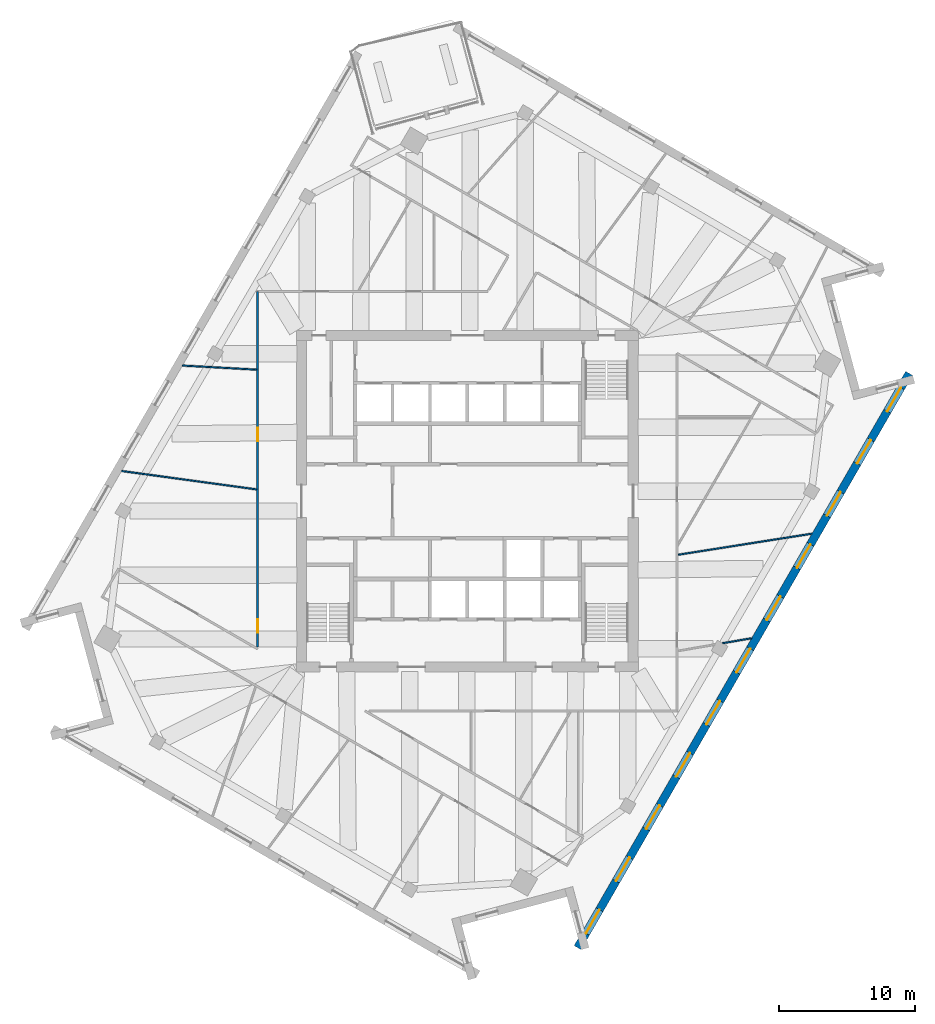
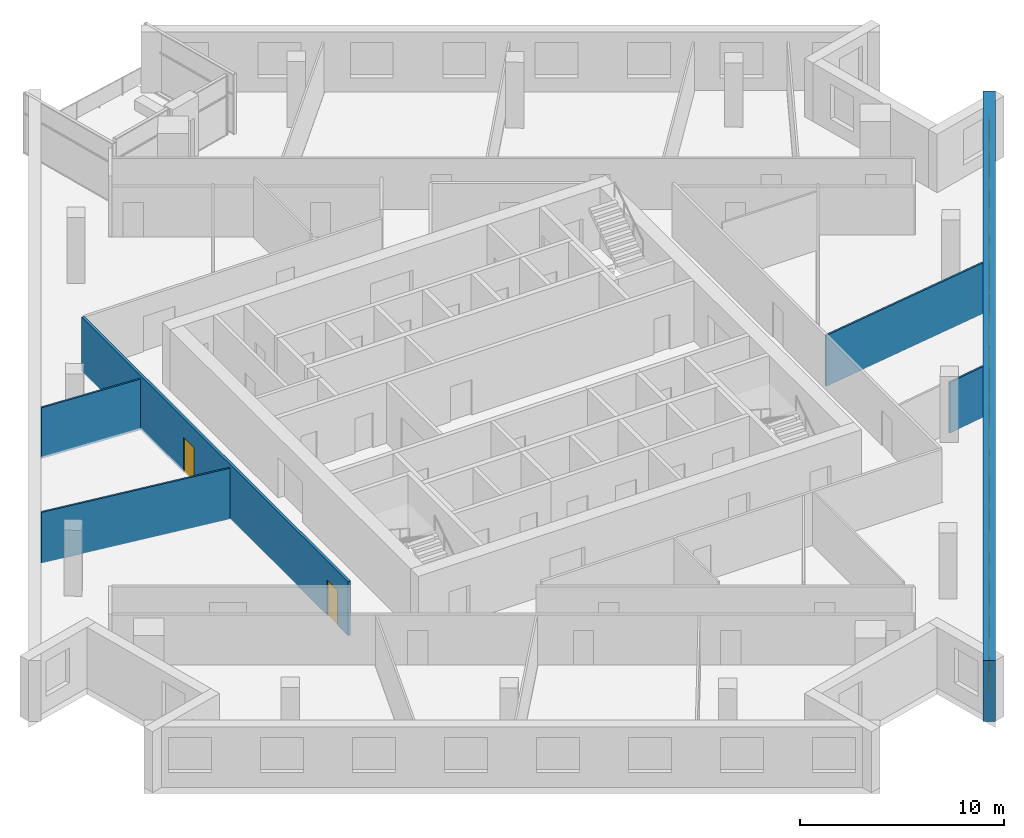
# One storey, part 8 of 13: 11 windows, 6 walls, 2 doors, 13 openings.
"""IFC4 building model written with IfcOpenShell, lengths in metres."""

from ifc_helpers import new_model, si_unit, direction, frame, frame_2d, origin, place, context, subcontext, project, spatial, rectangle, extrude, material, layer, layer_set, type_object, element, fill, save


model = new_model("IFC4")

# Units and contexts
model_context = context("Model", 3, precision=1e-05, world=origin(), true_north=direction((0.0, 1.0)))
body_context = subcontext(model_context, "Body", "Model", "MODEL_VIEW")
ifc_project = project(units=[si_unit("LENGTHUNIT", "METRE"), si_unit("AREAUNIT", "SQUARE_METRE"), si_unit("VOLUMEUNIT", "CUBIC_METRE"), si_unit("PLANEANGLEUNIT", "RADIAN"), si_unit("MASSUNIT", "GRAM", prefix="KILO")], contexts=[model_context])

# Site, building, storey
site_placement = place(None, origin())
site = spatial("IfcSite", under=ifc_project, at=site_placement, CompositionType="ELEMENT")
building_placement = place(site_placement, origin())
building = spatial("IfcBuilding", under=site, at=building_placement, Name="Dilmun Exchange Tower", CompositionType="ELEMENT")
storey_placement = place(building_placement, frame((0.0, 0.0, 266.89990234375)))
storey = spatial("IfcBuildingStorey", under=building, at=storey_placement, Name="L63", CompositionType="ELEMENT", Elevation=266.89990234375)

# Wall, openings, doors
ifc_material_1 = material(Name="Corridor wall 150")
ifc_layer_1 = layer(ifc_material_1, 0.14990234375)
ifc_layer_set_1 = layer_set([ifc_layer_1], Name="Corridor wall 150")
wall_type_1 = type_object("IfcWallType", Name="Corridor wall 150", PredefinedType="PARTITIONING", material=ifc_layer_set_1)
wall_1_placement = place(storey_placement, frame((-15.39990234375, -10.72021484375, 0.0), z_axis=(0.0, 0.0, 1.0), x_axis=(0.0, 1.0, 0.0)))
wall_1 = element("IfcWall", 1, at=wall_1_placement, inside=storey, type_object=wall_type_1, Name="Corridor wall", PredefinedType="PARTITIONING", context=body_context, shape_type="SweptSolid", body=[
    extrude(rectangle(XDim=26.1201171875, YDim=0.14990234375, at=frame_2d((13.06005859375, 0.0))), origin(), (0.0, 0.0, 1.0), 3.239990234375),
])
opening_1_placement = place(wall_1_placement, frame((1.050048828125, 0.0, 0.0)))
opening_1 = element("IfcOpeningElement", 2, at=opening_1_placement, cuts=wall_1, Name="Opening TF62-D02", PredefinedType="OPENING", context=body_context, shape_type="SweptSolid", body=[
    extrude(rectangle(XDim=1.0, YDim=2.10009765625, at=frame_2d((0.5, 1.050048828125))), frame((0.0, 0.0849609375, 0.0), z_axis=(0.0, -1.0, 0.0), x_axis=(1.0, 0.0, 0.0)), (0.0, 0.0, 1.0), 0.169921875),
])
opening_2_placement = place(wall_1_placement, frame((15.12353515625, 0.0, 0.0)))
opening_2 = element("IfcOpeningElement", 3, at=opening_2_placement, cuts=wall_1, Name="Opening TF62-D03", PredefinedType="OPENING", context=body_context, shape_type="SweptSolid", body=[
    extrude(rectangle(XDim=1.0, YDim=2.10009765625, at=frame_2d((0.5, 1.050048828125))), frame((0.0, 0.0849609375, 0.0), z_axis=(0.0, -1.0, 0.0), x_axis=(1.0, 0.0, 0.0)), (0.0, 0.0, 1.0), 0.169921875),
])
ifc_material_2 = material(Name="Fire door 1000 x 2100")
door_type = type_object("IfcDoorType", Name="Fire door 1000 x 2100", OperationType="NOTDEFINED", PredefinedType="DOOR", material=ifc_material_2)
door_1_placement = place(opening_1_placement, origin())
door_1 = element("IfcDoor", 4, at=door_1_placement, inside=storey, type_object=door_type, Name="Door TF62-D02", OperationType="SINGLE_SWING_LEFT", OverallHeight=2.10009765625, OverallWidth=1.0, PredefinedType="DOOR", context=body_context, shape_type="SweptSolid", body=[
    extrude(rectangle(XDim=1.0, YDim=2.10009765625, at=frame_2d((0.5, 1.050048828125))), frame((0.0, 0.02490234375, 0.0), z_axis=(0.0, -1.0, 0.0), x_axis=(1.0, 0.0, 0.0)), (0.0, 0.0, 1.0), 0.050048828125),
])
fill(opening_1, door_1)
door_2_placement = place(opening_2_placement, origin())
door_2 = element("IfcDoor", 5, at=door_2_placement, inside=storey, type_object=door_type, Name="Door TF62-D03", OperationType="SINGLE_SWING_RIGHT", OverallHeight=2.10009765625, OverallWidth=1.0, PredefinedType="DOOR", context=body_context, shape_type="SweptSolid", body=[
    extrude(rectangle(XDim=1.0, YDim=2.10009765625, at=frame_2d((0.5, 1.050048828125))), frame((0.0, 0.02490234375, 0.0), z_axis=(0.0, -1.0, 0.0), x_axis=(1.0, 0.0, 0.0)), (0.0, 0.0, 1.0), 0.050048828125),
])
fill(opening_2, door_2)

# Walls
ifc_material_3 = material(Name="Partition 100")
ifc_layer_2 = layer(ifc_material_3, 0.10009765625)
ifc_layer_set_2 = layer_set([ifc_layer_2], Name="Partition 100")
wall_type_2 = type_object("IfcWallType", Name="Partition 100", PredefinedType="PARTITIONING", material=ifc_layer_set_2)
wall_2_placement = place(storey_placement, frame((-25.39111328125, 2.217041015625, 0.0), z_axis=(0.0, 0.0, 1.0), x_axis=(0.990810103631, -0.135260262244, 0.0)))
element("IfcWall", 6, at=wall_2_placement, inside=storey, type_object=wall_type_2, Name="Partition", PredefinedType="PARTITIONING", context=body_context, shape_type="SweptSolid", body=[
    extrude(rectangle(XDim=10.001220703125, YDim=0.10009765625, at=frame_2d((5.00048828125, 0.0))), origin(), (0.0, 0.0, 1.0), 3.0400390625),
])
wall_3_placement = place(storey_placement, frame((-20.921630859375, 9.958740234375, 0.0), z_axis=(0.0, 0.0, 1.0), x_axis=(0.998469707991, -0.055301376328, 0.0)))
element("IfcWall", 7, at=wall_3_placement, inside=storey, type_object=wall_type_2, Name="Partition", PredefinedType="PARTITIONING", context=body_context, shape_type="SweptSolid", body=[
    extrude(rectangle(XDim=5.4521484375, YDim=0.10009765625, at=frame_2d((2.72607421875, 0.0))), origin(), (0.0, 0.0, 1.0), 3.0400390625),
])
wall_4_placement = place(storey_placement, frame((15.48291015625, -3.931884765625, 0.0), z_axis=(0.0, 0.0, 1.0), x_axis=(0.987819108506, 0.155606583636, 0.0)))
element("IfcWall", 8, at=wall_4_placement, inside=storey, type_object=wall_type_2, Name="Partition", PredefinedType="PARTITIONING", context=body_context, shape_type="SweptSolid", body=[
    extrude(rectangle(XDim=9.931640625, YDim=0.10009765625, at=frame_2d((4.9658203125, 0.0))), origin(), (0.0, 0.0, 1.0), 3.0400390625),
])
wall_5_placement = place(storey_placement, frame((18.7353515625, -10.430908203125, 0.0), z_axis=(0.0, 0.0, 1.0), x_axis=(0.985438538962, 0.170032014419, 0.0)))
element("IfcWall", 9, at=wall_5_placement, inside=storey, type_object=wall_type_2, Name="Partition", PredefinedType="PARTITIONING", context=body_context, shape_type="SweptSolid", body=[
    extrude(rectangle(XDim=2.15673828125, YDim=0.10009765625, at=frame_2d((1.078369140625, 0.0))), origin(), (0.0, 0.0, 1.0), 3.0400390625),
])

# Wall, openings, windows
ifc_material_4 = material(Name="Precast concrete C50/60", Category="concrete")
ifc_layer_3 = layer(ifc_material_4, 0.60009765625)
ifc_layer_set_3 = layer_set([ifc_layer_3], Name="Precast concrete C50/60")
wall_type_3 = type_object("IfcWallType", Name="Precast stone-clad wall 600", PredefinedType="STANDARD", material=ifc_layer_set_3)
wall_6_placement = place(storey_placement, frame((8.093505859375, -32.78173828125, 0.0), z_axis=(0.0, 0.0, 1.0), x_axis=(0.499997945818, 0.866026589763, 0.0)))
wall_6 = element("IfcWall", 10, at=wall_6_placement, inside=storey, type_object=wall_type_3, Name="Facade wall L63-11", PredefinedType="STANDARD", context=body_context, shape_type="SweptSolid", body=[
    extrude(rectangle(XDim=48.686279296875, YDim=0.60009765625, at=frame_2d((24.34326171875, 0.0))), origin(), (0.0, 0.0, 1.0), 3.64013671875),
])
opening_3_placement = place(wall_6_placement, frame((1.212890625, 0.0, 0.89990234375)))
opening_3 = element("IfcOpeningElement", 11, at=opening_3_placement, cuts=wall_6, Name="Opening W200-210", PredefinedType="OPENING", context=body_context, shape_type="SweptSolid", body=[
    extrude(rectangle(XDim=2.0, YDim=2.10009765625, at=frame_2d((1.0, 1.050048828125))), frame((0.0, 0.31005859375, 0.0), z_axis=(0.0, -1.0, 0.0), x_axis=(1.0, 0.0, 0.0)), (0.0, 0.0, 1.0), 0.6201171875),
])
opening_4_placement = place(wall_6_placement, frame((5.638916015625, 0.0, 0.89990234375)))
opening_4 = element("IfcOpeningElement", 12, at=opening_4_placement, cuts=wall_6, Name="Opening W200-210", PredefinedType="OPENING", context=body_context, shape_type="SweptSolid", body=[
    extrude(rectangle(XDim=2.0, YDim=2.10009765625, at=frame_2d((1.0, 1.050048828125))), frame((0.0, 0.31005859375, 0.0), z_axis=(0.0, -1.0, 0.0), x_axis=(1.0, 0.0, 0.0)), (0.0, 0.0, 1.0), 0.6201171875),
])
opening_5_placement = place(wall_6_placement, frame((10.065185546875, 0.0, 0.89990234375)))
opening_5 = element("IfcOpeningElement", 13, at=opening_5_placement, cuts=wall_6, Name="Opening W200-210", PredefinedType="OPENING", context=body_context, shape_type="SweptSolid", body=[
    extrude(rectangle(XDim=2.0, YDim=2.10009765625, at=frame_2d((1.0, 1.050048828125))), frame((0.0, 0.31005859375, 0.0), z_axis=(0.0, -1.0, 0.0), x_axis=(1.0, 0.0, 0.0)), (0.0, 0.0, 1.0), 0.6201171875),
])
opening_6_placement = place(wall_6_placement, frame((14.4912109375, 0.0, 0.89990234375)))
opening_6 = element("IfcOpeningElement", 14, at=opening_6_placement, cuts=wall_6, Name="Opening W200-210", PredefinedType="OPENING", context=body_context, shape_type="SweptSolid", body=[
    extrude(rectangle(XDim=2.0, YDim=2.10009765625, at=frame_2d((1.0, 1.050048828125))), frame((0.0, 0.31005859375, 0.0), z_axis=(0.0, -1.0, 0.0), x_axis=(1.0, 0.0, 0.0)), (0.0, 0.0, 1.0), 0.6201171875),
])
opening_7_placement = place(wall_6_placement, frame((18.9169921875, 0.0, 0.89990234375)))
opening_7 = element("IfcOpeningElement", 15, at=opening_7_placement, cuts=wall_6, Name="Opening W200-210", PredefinedType="OPENING", context=body_context, shape_type="SweptSolid", body=[
    extrude(rectangle(XDim=2.0, YDim=2.10009765625, at=frame_2d((1.0, 1.050048828125))), frame((0.0, 0.31005859375, 0.0), z_axis=(0.0, -1.0, 0.0), x_axis=(1.0, 0.0, 0.0)), (0.0, 0.0, 1.0), 0.6201171875),
])
opening_8_placement = place(wall_6_placement, frame((23.343017578125, 0.0, 0.89990234375)))
opening_8 = element("IfcOpeningElement", 16, at=opening_8_placement, cuts=wall_6, Name="Opening W200-210", PredefinedType="OPENING", context=body_context, shape_type="SweptSolid", body=[
    extrude(rectangle(XDim=2.0, YDim=2.10009765625, at=frame_2d((1.0, 1.050048828125))), frame((0.0, 0.31005859375, 0.0), z_axis=(0.0, -1.0, 0.0), x_axis=(1.0, 0.0, 0.0)), (0.0, 0.0, 1.0), 0.6201171875),
])
opening_9_placement = place(wall_6_placement, frame((27.769287109375, 0.0, 0.89990234375)))
opening_9 = element("IfcOpeningElement", 17, at=opening_9_placement, cuts=wall_6, Name="Opening W200-210", PredefinedType="OPENING", context=body_context, shape_type="SweptSolid", body=[
    extrude(rectangle(XDim=2.0, YDim=2.10009765625, at=frame_2d((1.0, 1.050048828125))), frame((0.0, 0.31005859375, 0.0), z_axis=(0.0, -1.0, 0.0), x_axis=(1.0, 0.0, 0.0)), (0.0, 0.0, 1.0), 0.6201171875),
])
opening_10_placement = place(wall_6_placement, frame((32.1953125, 0.0, 0.89990234375)))
opening_10 = element("IfcOpeningElement", 18, at=opening_10_placement, cuts=wall_6, Name="Opening W200-210", PredefinedType="OPENING", context=body_context, shape_type="SweptSolid", body=[
    extrude(rectangle(XDim=2.0, YDim=2.10009765625, at=frame_2d((1.0, 1.050048828125))), frame((0.0, 0.31005859375, 0.0), z_axis=(0.0, -1.0, 0.0), x_axis=(1.0, 0.0, 0.0)), (0.0, 0.0, 1.0), 0.6201171875),
])
opening_11_placement = place(wall_6_placement, frame((36.62109375, 0.0, 0.89990234375)))
opening_11 = element("IfcOpeningElement", 19, at=opening_11_placement, cuts=wall_6, Name="Opening W200-210", PredefinedType="OPENING", context=body_context, shape_type="SweptSolid", body=[
    extrude(rectangle(XDim=2.0, YDim=2.10009765625, at=frame_2d((1.0, 1.050048828125))), frame((0.0, 0.31005859375, 0.0), z_axis=(0.0, -1.0, 0.0), x_axis=(1.0, 0.0, 0.0)), (0.0, 0.0, 1.0), 0.6201171875),
])
opening_12_placement = place(wall_6_placement, frame((41.04736328125, 0.0, 0.89990234375)))
opening_12 = element("IfcOpeningElement", 20, at=opening_12_placement, cuts=wall_6, Name="Opening W200-210", PredefinedType="OPENING", context=body_context, shape_type="SweptSolid", body=[
    extrude(rectangle(XDim=2.0, YDim=2.10009765625, at=frame_2d((1.0, 1.050048828125))), frame((0.0, 0.31005859375, 0.0), z_axis=(0.0, -1.0, 0.0), x_axis=(1.0, 0.0, 0.0)), (0.0, 0.0, 1.0), 0.6201171875),
])
opening_13_placement = place(wall_6_placement, frame((45.473388671875, 0.0, 0.89990234375)))
opening_13 = element("IfcOpeningElement", 21, at=opening_13_placement, cuts=wall_6, Name="Opening W200-210", PredefinedType="OPENING", context=body_context, shape_type="SweptSolid", body=[
    extrude(rectangle(XDim=2.0, YDim=2.10009765625, at=frame_2d((1.0, 1.050048828125))), frame((0.0, 0.31005859375, 0.0), z_axis=(0.0, -1.0, 0.0), x_axis=(1.0, 0.0, 0.0)), (0.0, 0.0, 1.0), 0.6201171875),
])
ifc_material_5 = material(Name="Clear low-emissivity glass in aluminium frame", Category="aluminium")
window_type = type_object("IfcWindowType", Name="Punched window 2000 x 2100", PartitioningType="DOUBLE_PANEL_VERTICAL", PredefinedType="WINDOW", material=ifc_material_5)
window_1_placement = place(opening_3_placement, origin())
window_1 = element("IfcWindow", 22, at=window_1_placement, inside=storey, type_object=window_type, Name="Window 12.1", OverallHeight=2.10009765625, OverallWidth=2.0, PartitioningType="SINGLE_PANEL", PredefinedType="WINDOW", context=body_context, shape_type="SweptSolid", body=[
    extrude(rectangle(XDim=2.0, YDim=2.10009765625, at=frame_2d((1.0, 1.050048828125))), frame((0.0, 0.030029296875, 0.0), z_axis=(0.0, -1.0, 0.0), x_axis=(1.0, 0.0, 0.0)), (0.0, 0.0, 1.0), 0.06005859375),
])
fill(opening_3, window_1)
window_2_placement = place(opening_4_placement, origin())
window_2 = element("IfcWindow", 23, at=window_2_placement, inside=storey, type_object=window_type, Name="Window 12.2", OverallHeight=2.10009765625, OverallWidth=2.0, PartitioningType="SINGLE_PANEL", PredefinedType="WINDOW", context=body_context, shape_type="SweptSolid", body=[
    extrude(rectangle(XDim=2.0, YDim=2.10009765625, at=frame_2d((1.0, 1.050048828125))), frame((0.0, 0.030029296875, 0.0), z_axis=(0.0, -1.0, 0.0), x_axis=(1.0, 0.0, 0.0)), (0.0, 0.0, 1.0), 0.06005859375),
])
fill(opening_4, window_2)
window_3_placement = place(opening_5_placement, origin())
window_3 = element("IfcWindow", 24, at=window_3_placement, inside=storey, type_object=window_type, Name="Window 12.3", OverallHeight=2.10009765625, OverallWidth=2.0, PartitioningType="SINGLE_PANEL", PredefinedType="WINDOW", context=body_context, shape_type="SweptSolid", body=[
    extrude(rectangle(XDim=2.0, YDim=2.10009765625, at=frame_2d((1.0, 1.050048828125))), frame((0.0, 0.030029296875, 0.0), z_axis=(0.0, -1.0, 0.0), x_axis=(1.0, 0.0, 0.0)), (0.0, 0.0, 1.0), 0.06005859375),
])
fill(opening_5, window_3)
window_4_placement = place(opening_6_placement, origin())
window_4 = element("IfcWindow", 25, at=window_4_placement, inside=storey, type_object=window_type, Name="Window 12.4", OverallHeight=2.10009765625, OverallWidth=2.0, PartitioningType="SINGLE_PANEL", PredefinedType="WINDOW", context=body_context, shape_type="SweptSolid", body=[
    extrude(rectangle(XDim=2.0, YDim=2.10009765625, at=frame_2d((1.0, 1.050048828125))), frame((0.0, 0.030029296875, 0.0), z_axis=(0.0, -1.0, 0.0), x_axis=(1.0, 0.0, 0.0)), (0.0, 0.0, 1.0), 0.06005859375),
])
fill(opening_6, window_4)
window_5_placement = place(opening_7_placement, origin())
window_5 = element("IfcWindow", 26, at=window_5_placement, inside=storey, type_object=window_type, Name="Window 12.5", OverallHeight=2.10009765625, OverallWidth=2.0, PartitioningType="SINGLE_PANEL", PredefinedType="WINDOW", context=body_context, shape_type="SweptSolid", body=[
    extrude(rectangle(XDim=2.0, YDim=2.10009765625, at=frame_2d((1.0, 1.050048828125))), frame((0.0, 0.030029296875, 0.0), z_axis=(0.0, -1.0, 0.0), x_axis=(1.0, 0.0, 0.0)), (0.0, 0.0, 1.0), 0.06005859375),
])
fill(opening_7, window_5)
window_6_placement = place(opening_8_placement, origin())
window_6 = element("IfcWindow", 27, at=window_6_placement, inside=storey, type_object=window_type, Name="Window 12.6", OverallHeight=2.10009765625, OverallWidth=2.0, PartitioningType="SINGLE_PANEL", PredefinedType="WINDOW", context=body_context, shape_type="SweptSolid", body=[
    extrude(rectangle(XDim=2.0, YDim=2.10009765625, at=frame_2d((1.0, 1.050048828125))), frame((0.0, 0.030029296875, 0.0), z_axis=(0.0, -1.0, 0.0), x_axis=(1.0, 0.0, 0.0)), (0.0, 0.0, 1.0), 0.06005859375),
])
fill(opening_8, window_6)
window_7_placement = place(opening_9_placement, origin())
window_7 = element("IfcWindow", 28, at=window_7_placement, inside=storey, type_object=window_type, Name="Window 12.7", OverallHeight=2.10009765625, OverallWidth=2.0, PartitioningType="SINGLE_PANEL", PredefinedType="WINDOW", context=body_context, shape_type="SweptSolid", body=[
    extrude(rectangle(XDim=2.0, YDim=2.10009765625, at=frame_2d((1.0, 1.050048828125))), frame((0.0, 0.030029296875, 0.0), z_axis=(0.0, -1.0, 0.0), x_axis=(1.0, 0.0, 0.0)), (0.0, 0.0, 1.0), 0.06005859375),
])
fill(opening_9, window_7)
window_8_placement = place(opening_10_placement, origin())
window_8 = element("IfcWindow", 29, at=window_8_placement, inside=storey, type_object=window_type, Name="Window 12.8", OverallHeight=2.10009765625, OverallWidth=2.0, PartitioningType="SINGLE_PANEL", PredefinedType="WINDOW", context=body_context, shape_type="SweptSolid", body=[
    extrude(rectangle(XDim=2.0, YDim=2.10009765625, at=frame_2d((1.0, 1.050048828125))), frame((0.0, 0.030029296875, 0.0), z_axis=(0.0, -1.0, 0.0), x_axis=(1.0, 0.0, 0.0)), (0.0, 0.0, 1.0), 0.06005859375),
])
fill(opening_10, window_8)
window_9_placement = place(opening_11_placement, origin())
window_9 = element("IfcWindow", 30, at=window_9_placement, inside=storey, type_object=window_type, Name="Window 12.9", OverallHeight=2.10009765625, OverallWidth=2.0, PartitioningType="SINGLE_PANEL", PredefinedType="WINDOW", context=body_context, shape_type="SweptSolid", body=[
    extrude(rectangle(XDim=2.0, YDim=2.10009765625, at=frame_2d((1.0, 1.050048828125))), frame((0.0, 0.030029296875, 0.0), z_axis=(0.0, -1.0, 0.0), x_axis=(1.0, 0.0, 0.0)), (0.0, 0.0, 1.0), 0.06005859375),
])
fill(opening_11, window_9)
window_10_placement = place(opening_12_placement, origin())
window_10 = element("IfcWindow", 31, at=window_10_placement, inside=storey, type_object=window_type, Name="Window 12.10", OverallHeight=2.10009765625, OverallWidth=2.0, PartitioningType="SINGLE_PANEL", PredefinedType="WINDOW", context=body_context, shape_type="SweptSolid", body=[
    extrude(rectangle(XDim=2.0, YDim=2.10009765625, at=frame_2d((1.0, 1.050048828125))), frame((0.0, 0.030029296875, 0.0), z_axis=(0.0, -1.0, 0.0), x_axis=(1.0, 0.0, 0.0)), (0.0, 0.0, 1.0), 0.06005859375),
])
fill(opening_12, window_10)
window_11_placement = place(opening_13_placement, origin())
window_11 = element("IfcWindow", 32, at=window_11_placement, inside=storey, type_object=window_type, Name="Window 12.11", OverallHeight=2.10009765625, OverallWidth=2.0, PartitioningType="SINGLE_PANEL", PredefinedType="WINDOW", context=body_context, shape_type="SweptSolid", body=[
    extrude(rectangle(XDim=2.0, YDim=2.10009765625, at=frame_2d((1.0, 1.050048828125))), frame((0.0, 0.030029296875, 0.0), z_axis=(0.0, -1.0, 0.0), x_axis=(1.0, 0.0, 0.0)), (0.0, 0.0, 1.0), 0.06005859375),
])
fill(opening_13, window_11)

save(model, "model.ifc")
